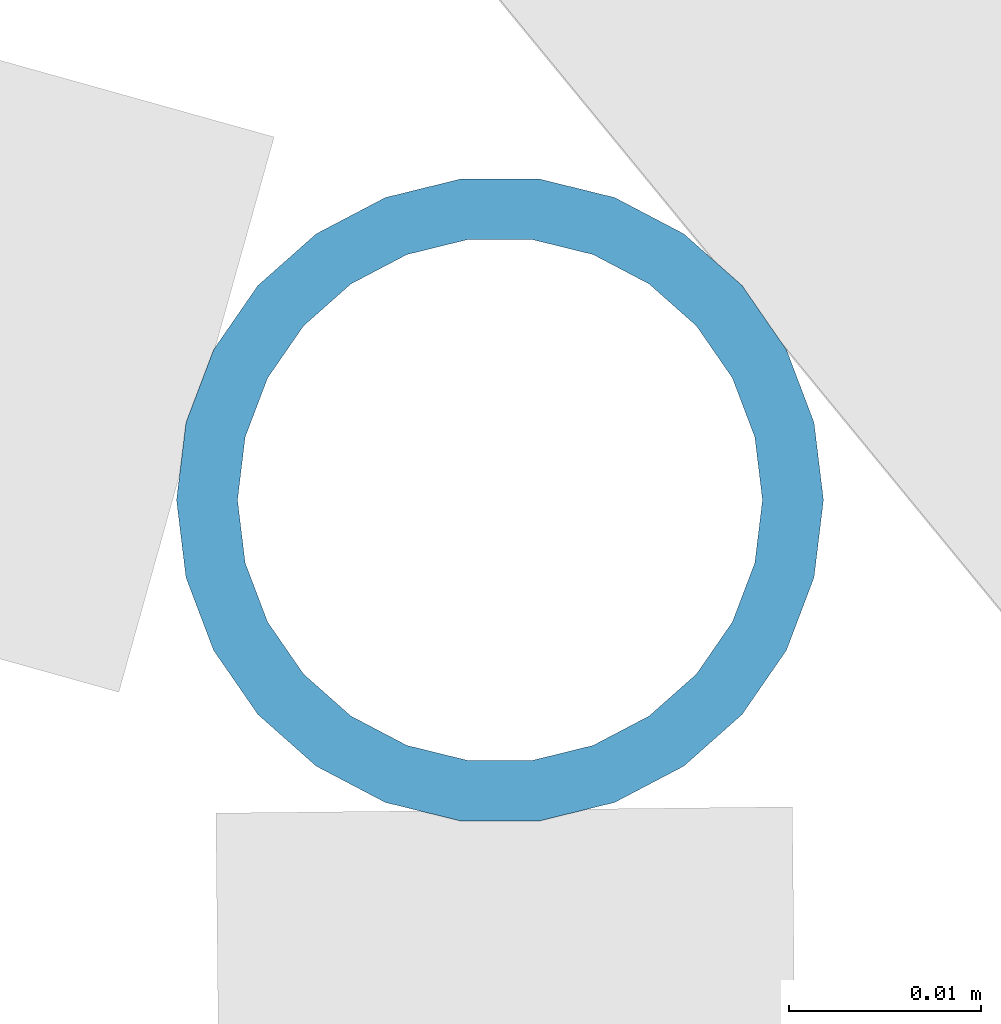
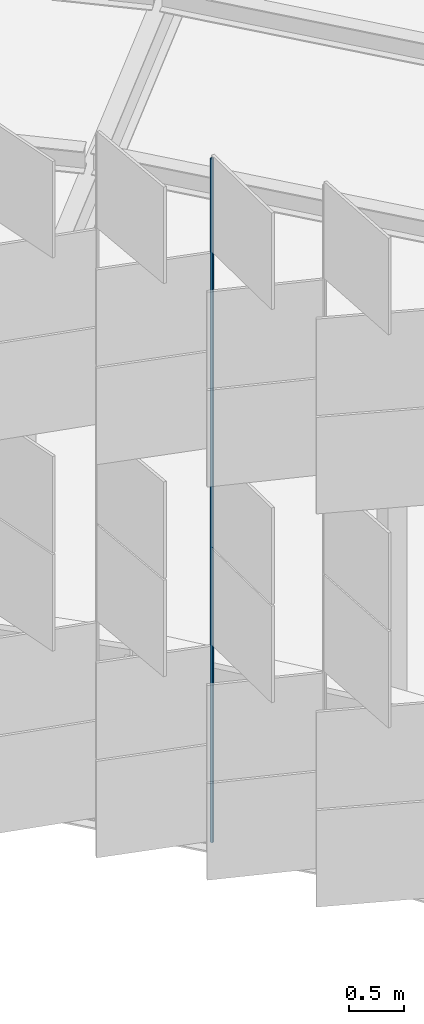
# One storey, part 257 of 483: 1 discrete accessory.
"""IFC4 building model written with IfcOpenShell, lengths in metres."""

import ifcopenshell
import ifcopenshell.guid

model = None  # the IFC model being written
_history = None  # IfcOwnerHistory: only IFC2X3 demands one
_inside = {}  # id of a spatial element -> (the spatial element, [elements in it])
_under = {}  # id of a project, library or spatial element -> (it, [spatial elements below it])
_declared = {}  # id of a project -> (the project, [libraries it declares])
_typed = {}  # id of a type object -> (the type object, [elements of that type])
_made_of = {}  # id of a material, layer set ... -> (it, [elements and type objects made of it])


def new_model(schema):
    """Start an empty IFC model of exactly this schema.

    Asked for "IFC4X3", IfcOpenShell would pick the latest addendum, in which some entities
    have other attributes; the version numbers below select the first issue.
    IFC2X3 requires an IfcOwnerHistory on every rooted entity: one is made here for all.
    """
    global model, _history
    if schema == "IFC4X3":
        model = ifcopenshell.file(schema_version=(4, 3, 0, 0))
    else:
        model = ifcopenshell.file(schema=schema)
    _inside.clear()
    _under.clear()
    _declared.clear()
    _typed.clear()
    _made_of.clear()
    _history = None
    if model.schema == "IFC2X3":
        org = make("IfcOrganization", Name="unknown")
        user = make(
            "IfcPersonAndOrganization",
            ThePerson=make("IfcPerson", FamilyName="unknown"),
            TheOrganization=org,
        )
        app = make(
            "IfcApplication",
            ApplicationDeveloper=org,
            Version="unknown",
            ApplicationFullName="unknown",
            ApplicationIdentifier="unknown",
        )
        _history = make(
            "IfcOwnerHistory",
            OwningUser=user,
            OwningApplication=app,
            ChangeAction="ADDED",
            CreationDate=0,
        )
    return model


def make(cls, **values):
    """One entity of the class cls with the attributes given. An attribute that is None is left unset."""
    return model.create_entity(
        cls, **{name: value for name, value in values.items() if value is not None}
    )


def rooted(cls, **values):
    """An entity with a GlobalId (a new one), such as an element, a storey or a relation."""
    return make(cls, GlobalId=ifcopenshell.guid.new(), OwnerHistory=_history, **values)


def si_unit(unit_type, name, prefix=None):
    """IfcSIUnit, for example si_unit("LENGTHUNIT", "METRE", prefix="MILLI")."""
    return make("IfcSIUnit", UnitType=unit_type, Prefix=prefix, Name=name)


def assignment(units):
    """IfcUnitAssignment: the units of a project."""
    return None if units is None else make("IfcUnitAssignment", Units=units)


def point(xyz):
    """IfcCartesianPoint."""
    return None if xyz is None else make("IfcCartesianPoint", Coordinates=xyz)


def direction(xyz):
    """IfcDirection."""
    return None if xyz is None else make("IfcDirection", DirectionRatios=xyz)


def frame(location, z_axis=None, x_axis=None):
    """IfcAxis2Placement3D, a coordinate frame: its origin and axes. An axis left out is left unset."""
    return make(
        "IfcAxis2Placement3D",
        Location=point(location),
        Axis=direction(z_axis),
        RefDirection=direction(x_axis),
    )


def frame_2d(location, x_axis=None):
    """IfcAxis2Placement2D, a coordinate frame in the plane: its origin and x axis."""
    return make(
        "IfcAxis2Placement2D", Location=point(location), RefDirection=direction(x_axis)
    )


def origin():
    """The frame at (0, 0, 0) with its axes left unset."""
    return frame((0.0, 0.0, 0.0))


def origin_2d():
    """The frame at (0, 0) in the plane with its x axis left unset."""
    return frame_2d((0.0, 0.0))


def place(relative_to, where):
    """IfcLocalPlacement: puts the frame where relative to a parent placement (None: the world)."""
    return make(
        "IfcLocalPlacement", PlacementRelTo=relative_to, RelativePlacement=where
    )


def context(
    kind, dimensions, precision=None, world=None, true_north=None, identifier=None
):
    """IfcGeometricRepresentationContext, for example the 3D "Model" context."""
    return make(
        "IfcGeometricRepresentationContext",
        ContextIdentifier=identifier,
        ContextType=kind,
        CoordinateSpaceDimension=dimensions,
        Precision=precision,
        WorldCoordinateSystem=world,
        TrueNorth=true_north,
    )


def subcontext(parent, identifier, kind, view, scale=None):
    """IfcGeometricRepresentationSubContext, for example "Body" below "Model"."""
    return make(
        "IfcGeometricRepresentationSubContext",
        ContextIdentifier=identifier,
        ContextType=kind,
        ParentContext=parent,
        TargetScale=scale,
        TargetView=view,
    )


def project(units=None, contexts=None):
    """IfcProject with its units and contexts."""
    return rooted(
        "IfcProject",
        Name="project",
        RepresentationContexts=contexts,
        UnitsInContext=assignment(units),
    )


def spatial(cls, under=None, at=None, **own):
    """A site, building, storey or space (cls), placed at a placement, below another one or the project."""
    s = rooted(cls, ObjectPlacement=at, **own)
    if under is not None:
        _under.setdefault(under.id(), (under, []))[1].append(s)
    return s


def profile(cls, at=None, kind="AREA", **sizes):
    """A parametric profile (cls). Its sizes go by their IFC names, for example OverallWidth=200.0."""
    return make(cls, ProfileType=kind, Position=at, **sizes)


def hollow_circle(**sizes):
    """IfcCircleHollowProfileDef."""
    return profile("IfcCircleHollowProfileDef", **sizes)


def extrude(swept, where, along, depth):
    """IfcExtrudedAreaSolid: the profile swept, set in the frame where, extruded along a direction by depth."""
    return make(
        "IfcExtrudedAreaSolid",
        SweptArea=swept,
        Position=where,
        ExtrudedDirection=direction(along),
        Depth=depth,
    )


def shape(context_of_items, identifier, shape_type, items):
    """IfcShapeRepresentation: the items that make up one representation, for example the "Body"."""
    return make(
        "IfcShapeRepresentation",
        ContextOfItems=context_of_items,
        RepresentationIdentifier=identifier,
        RepresentationType=shape_type,
        Items=items,
    )


def material(Name=None, Category=None):
    """IfcMaterial."""
    return make("IfcMaterial", Name=Name, Category=Category)


def material_profile(
    of_material, cross_section, Name=None, Category=None, Priority=None
):
    """IfcMaterialProfile: a cross section and its material."""
    return make(
        "IfcMaterialProfile",
        Name=Name,
        Material=of_material,
        Profile=cross_section,
        Priority=Priority,
        Category=Category,
    )


def profile_set(profiles, Name=None, composite=None):
    """IfcMaterialProfileSet."""
    return make(
        "IfcMaterialProfileSet",
        Name=Name,
        MaterialProfiles=profiles,
        CompositeProfile=composite,
    )


def made_of(thing, what):
    """Note that an element or type object is made of a material, layer set ...; save() writes the relation."""
    if what is not None:
        _made_of.setdefault(what.id(), (what, []))[1].append(thing)
    return thing


def type_object(cls, material=None, **own):
    """A type object (cls), such as IfcWallType, which elements share."""
    return made_of(rooted(cls, **own), material)


def element(
    cls,
    number,
    at=None,
    inside=None,
    cuts=None,
    type_object=None,
    material=None,
    context=None,
    identifier="Body",
    shape_type=None,
    held_by="IfcProductDefinitionShape",
    body=None,
    shapes=None,
    **own,
):
    """One element of the class cls, such as IfcWall. Its Tag is "e" and its number.

    at: its placement. inside: the storey or other place that contains it. cuts: it is an
    opening in that element (IfcRelVoidsElement). A single representation is given by context,
    identifier, shape_type and body (its items); several are given by shapes. held_by: the class
    of the entity that holds the representations. save() writes the other relations.
    """
    e = rooted(cls, Tag="e%d" % number, ObjectPlacement=at, **own)
    if body is not None:
        shapes = [shape(context, identifier, shape_type, body)]
    if shapes is not None:
        e.Representation = make(held_by, Representations=shapes)
    if inside is not None:
        _inside.setdefault(inside.id(), (inside, []))[1].append(e)
    if cuts is not None:
        rooted(
            "IfcRelVoidsElement", RelatingBuildingElement=cuts, RelatedOpeningElement=e
        )
    if type_object is not None:
        _typed.setdefault(type_object.id(), (type_object, []))[1].append(e)
    return made_of(e, material)


def aggregate(whole, parts):
    """IfcRelAggregates: a whole, such as a stair, and the parts it consists of."""
    return rooted("IfcRelAggregates", RelatingObject=whole, RelatedObjects=parts)


def save(model, path):
    """Write the relations noted so far, then the file.

    IfcRelAggregates (storeys below a building ...), IfcRelContainedInSpatialStructure (elements
    in a storey), IfcRelDefinesByType, IfcRelAssociatesMaterial and IfcRelDeclares: one each for
    every whole, place, type object, material and project.
    """
    for whole, parts in _under.values():
        aggregate(whole, parts)
    for where, things in _inside.values():
        rooted(
            "IfcRelContainedInSpatialStructure",
            RelatedElements=things,
            RelatingStructure=where,
        )
    for kind, things in _typed.values():
        rooted("IfcRelDefinesByType", RelatedObjects=things, RelatingType=kind)
    for what, things in _made_of.values():
        rooted("IfcRelAssociatesMaterial", RelatedObjects=things, RelatingMaterial=what)
    for by, libraries in _declared.values():
        rooted("IfcRelDeclares", RelatingContext=by, RelatedDefinitions=libraries)
    model.write(path)


model = new_model("IFC4")

# Units and contexts
model_context = context("Model", 3, precision=1e-05, world=origin(), true_north=direction((0.0, 1.0)))
body_context = subcontext(model_context, "Body", "Model", "MODEL_VIEW")
ifc_project = project(units=[si_unit("LENGTHUNIT", "METRE"), si_unit("AREAUNIT", "SQUARE_METRE"), si_unit("VOLUMEUNIT", "CUBIC_METRE"), si_unit("PLANEANGLEUNIT", "RADIAN"), si_unit("MASSUNIT", "GRAM", prefix="KILO")], contexts=[model_context])

# Site, building, storey
site_placement = place(None, origin())
site = spatial("IfcSite", under=ifc_project, at=site_placement, CompositionType="ELEMENT")
building_placement = place(site_placement, origin())
building = spatial("IfcBuilding", under=site, at=building_placement, Name="Parallax Yard Mobility Hub", CompositionType="ELEMENT")
storey_placement = place(building_placement, frame((0.0, 0.0, 13.199951171875)))
storey = spatial("IfcBuildingStorey", under=building, at=storey_placement, Name="L04", CompositionType="ELEMENT", Elevation=13.199951171875)

# Discrete accessory
ifc_material = material(Name="Steel ASTM A500 Gr C, hot-dip galvanised", Category="steel")
ifc_material_profile = material_profile(ifc_material, hollow_circle(Radius=0.016845703125, WallThickness=0.003173828125, at=origin_2d()), Name="CHS 33.7x3.2")
ifc_profile_set = profile_set([ifc_material_profile], Name="Steel ASTM A500 Gr C, hot-dip galvanised")
discrete_accessory_type = type_object("IfcDiscreteAccessoryType", Name="Hinge post CHS 33.7x3.2", PredefinedType="BRACKET", material=ifc_profile_set)
discrete_accessory_placement = place(storey_placement, frame((189.20263671875, 103.519287109375, 0.0), z_axis=(0.0, 0.0, 1.0), x_axis=(1.0, 0.0, 0.0)))
element("IfcDiscreteAccessory", 1, at=discrete_accessory_placement, inside=storey, type_object=discrete_accessory_type, Name="Hinge post bay 20.6 level L04", PredefinedType="BRACKET", context=body_context, shape_type="SweptSolid", body=[
    extrude(hollow_circle(Radius=0.016845703125, WallThickness=0.003173828125, at=origin_2d()), origin(), (0.0, 0.0, 1.0), 7.650146484375),
])

save(model, "model.ifc")
